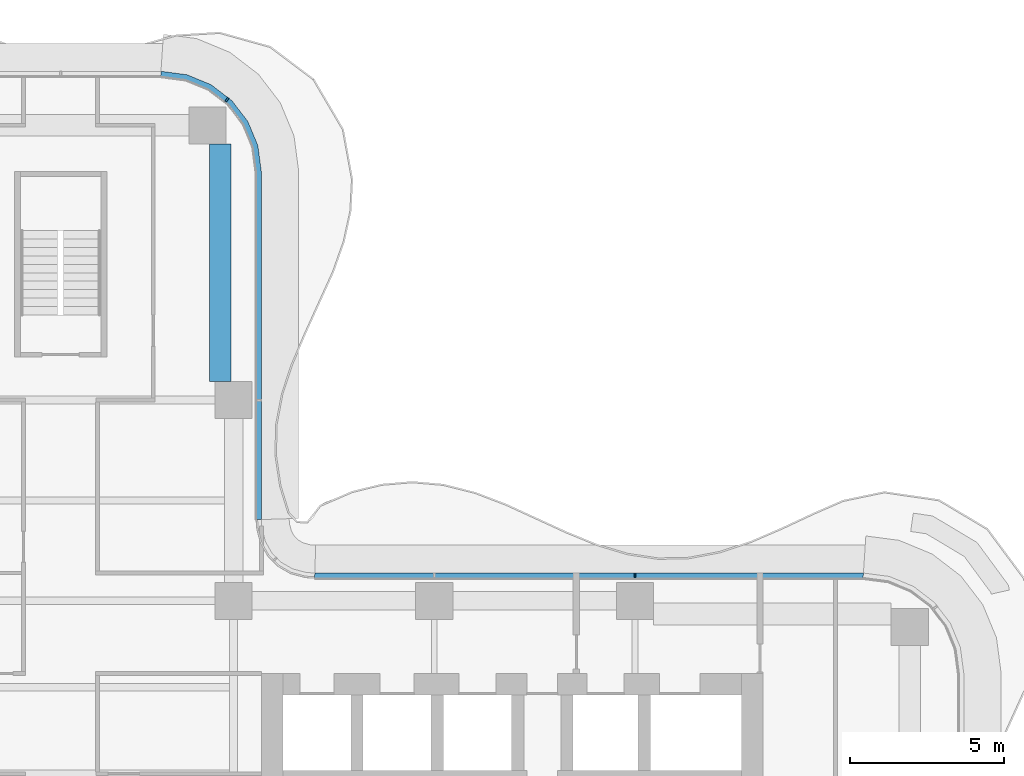
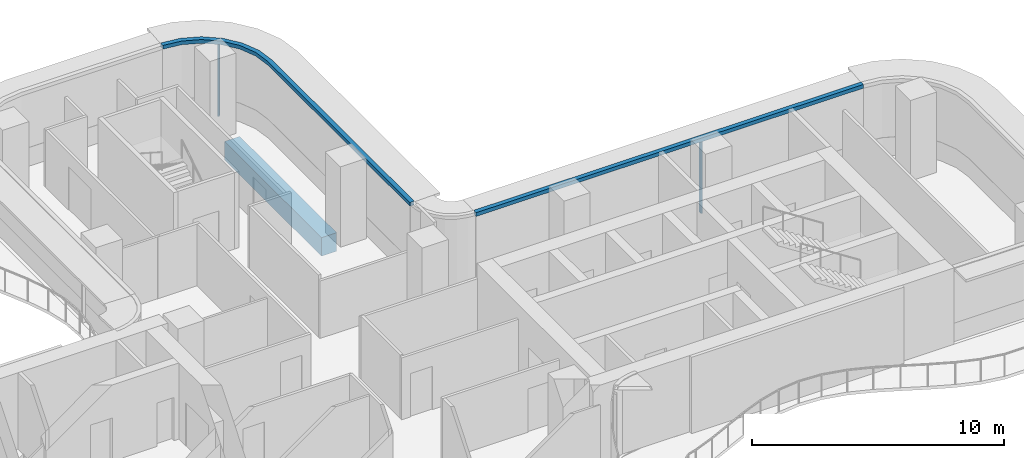
# One storey, part 8 of 18: 4 members, 1 beam, 2 elements without a shape of their own.
"""IFC4 building model written with IfcOpenShell, lengths in metres."""

from ifc_helpers import new_model, si_unit, direction, frame, origin, origin_2d, place, context, subcontext, project, spatial, polyline, rectangle, outline, extrude, source, transform, mapped, material, layer, layer_set, material_profile, profile_set, type_object, element, aggregate, save


model = new_model("IFC4")

# Units and contexts
model_context = context("Model", 3, precision=1e-05, world=origin(), true_north=direction((0.0, 1.0)))
body_context = subcontext(model_context, "Body", "Model", "MODEL_VIEW")
ifc_project = project(units=[si_unit("LENGTHUNIT", "METRE"), si_unit("AREAUNIT", "SQUARE_METRE"), si_unit("VOLUMEUNIT", "CUBIC_METRE"), si_unit("PLANEANGLEUNIT", "RADIAN"), si_unit("MASSUNIT", "GRAM", prefix="KILO")], contexts=[model_context])

# Site, building, storey
site_placement = place(None, origin())
site = spatial("IfcSite", under=ifc_project, at=site_placement, CompositionType="ELEMENT")
building_placement = place(site_placement, origin())
building = spatial("IfcBuilding", under=site, at=building_placement, Name="Trellis Farm Tower", CompositionType="ELEMENT")
storey_placement = place(building_placement, frame((0.0, 0.0, 204.89990234375)))
storey = spatial("IfcBuildingStorey", under=building, at=storey_placement, Name="L45", CompositionType="ELEMENT", Elevation=204.89990234375)

# Beam
ifc_material_1 = material(Name="Concrete C60/75", Category="concrete")
ifc_material_profile_1 = material_profile(ifc_material_1, rectangle(XDim=0.699951171875, YDim=0.89990234375, at=origin_2d()), Name="RC spandrel beam 700x900 C60/75")
ifc_profile_set_1 = profile_set([ifc_material_profile_1], Name="Concrete C60/75")
beam_type = type_object("IfcBeamType", Name="RC spandrel beam 700x900 C60/75", PredefinedType="SPANDREL", material=ifc_profile_set_1)
shared_shape_1 = source(origin(), body_context, "Body", "SweptSolid", [
    extrude(rectangle(XDim=0.699951171875, YDim=0.89990234375, at=origin_2d()), origin(), (0.0, 0.0, 1.0), 7.699951171875),
])
beam_placement = place(storey_placement, frame((5.175048828125, 12.699951171875, -0.64990234375), z_axis=(0.0, 1.0, 0.0), x_axis=(-1.0, 0.0, 0.0)))
element("IfcBeam", 1, at=beam_placement, inside=storey, type_object=beam_type, Name="Girder", PredefinedType="SPANDREL", context=body_context, shape_type="MappedRepresentation", body=[
    mapped(shared_shape_1, transform((0.0, 0.0, 0.0))),
])

# Curtain wall, member
ifc_material_2 = material(Name="Aluminium and glass curtain wall", Category="aluminium")
ifc_layer_1 = layer(ifc_material_2, 0.18994140625)
ifc_layer_set_1 = layer_set([ifc_layer_1], Name="RIBBON CURTAIN WALL CW1")
curtain_wall_type = type_object("IfcCurtainWallType", Name="RIBBON CURTAIN WALL CW1", PredefinedType="NOTDEFINED", material=ifc_layer_set_1)
placement_1 = place(storey_placement, origin())
curtain_wall_1 = element("IfcCurtainWall", 2, at=placement_1, inside=storey, type_object=curtain_wall_type, Name="CW1 008", PredefinedType="NOTDEFINED")
ifc_material_3 = material(Name="Aluminium extrusion 6063-T6", Category="aluminium")
ifc_material_profile_2 = material_profile(ifc_material_3, rectangle(XDim=0.06005859375, YDim=0.14990234375, at=origin_2d()), Name="MULLION 60x150")
ifc_profile_set_2 = profile_set([ifc_material_profile_2], Name="Aluminium extrusion 6063-T6")
member_type_1 = type_object("IfcMemberType", Name="CW1 MULLION 60x150", PredefinedType="MULLION", material=ifc_profile_set_2)
shared_shape_2 = source(origin(), body_context, "Body", "SweptSolid", [
    extrude(rectangle(XDim=0.06005859375, YDim=0.14990234375, at=origin_2d()), origin(), (0.0, 0.0, 1.0), 3.52001953125),
])
member_1_placement = place(storey_placement, frame((18.60009765625, 6.425048828125, 0.0), z_axis=(0.0, 0.0, 1.0), x_axis=(-1.0, 0.0, 0.0)))
member_1 = element("IfcMember", 3, at=member_1_placement, type_object=member_type_1, Name="MU1 008-01", PredefinedType="MULLION", context=body_context, shape_type="MappedRepresentation", body=[
    mapped(shared_shape_2, transform((0.0, 0.0, 0.0))),
])

curtain_wall_2 = element("IfcCurtainWall", 4, at=placement_1, inside=storey, type_object=curtain_wall_type, Name="CW1 009", PredefinedType="NOTDEFINED")
member_2_placement = place(storey_placement, frame((5.385498046875, 21.828369140625, 0.0), z_axis=(0.0, 0.0, 1.0), x_axis=(-0.793353340291, 0.608761429009, 0.0)))
member_2 = element("IfcMember", 5, at=member_2_placement, type_object=member_type_1, Name="MU1 009-02", PredefinedType="MULLION", context=body_context, shape_type="MappedRepresentation", body=[
    mapped(shared_shape_2, transform((0.0, 0.0, 0.0))),
])

# Member
ifc_layer_2 = layer(ifc_material_3, 0.199951171875)
ifc_layer_set_2 = layer_set([ifc_layer_2], Name="Aluminium extrusion 6063-T6")
member_type_2 = type_object("IfcMemberType", Name="CW1 TRANSOM 200x180", PredefinedType="USERDEFINED", material=ifc_layer_set_2)
shared_shape_3 = source(origin(), body_context, "Body", "SweptSolid", [
    extrude(outline(polyline([(26.0, 6.5), (8.2314453125, 6.5), (8.224853515625, 6.300048828125), (25.98681640625, 6.300048828125), (26.0, 6.5)])), origin(), (0.0, 0.0, 1.0), 0.18017578125),
])
placement_2 = place(storey_placement, frame((0.0, 0.0, 3.52001953125)))
member_3 = element("IfcMember", 6, at=placement_2, type_object=member_type_2, Name="TR1 008", ObjectType="TRANSOM", PredefinedType="USERDEFINED", context=body_context, shape_type="MappedRepresentation", body=[
    mapped(shared_shape_3, transform((0.0, 0.0, 0.0))),
])

aggregate(curtain_wall_1, [member_1, member_3])

shared_shape_4 = source(origin(), body_context, "Body", "SweptSolid", [
    extrude(outline(polyline([(6.5, 8.2314453125), (6.5, 19.5), (6.38916015625, 20.341064453125), (6.064697265625, 21.125), (5.548095703125, 21.798095703125), (4.875, 22.314697265625), (4.091064453125, 22.63916015625), (3.25, 22.75), (3.23681640625, 22.550048828125), (4.0390625, 22.4443359375), (4.774169921875, 22.139892578125), (5.405517578125, 21.655517578125), (5.889892578125, 21.024169921875), (6.1943359375, 20.2890625), (6.300048828125, 19.48681640625), (6.300048828125, 8.224853515625), (6.5, 8.2314453125)])), origin(), (0.0, 0.0, 1.0), 0.18017578125),
])
member_4 = element("IfcMember", 7, at=placement_2, type_object=member_type_2, Name="TR1 009", ObjectType="TRANSOM", PredefinedType="USERDEFINED", context=body_context, shape_type="MappedRepresentation", body=[
    mapped(shared_shape_4, transform((0.0, 0.0, 0.0))),
])

aggregate(curtain_wall_2, [member_2, member_4])

save(model, "model.ifc")
